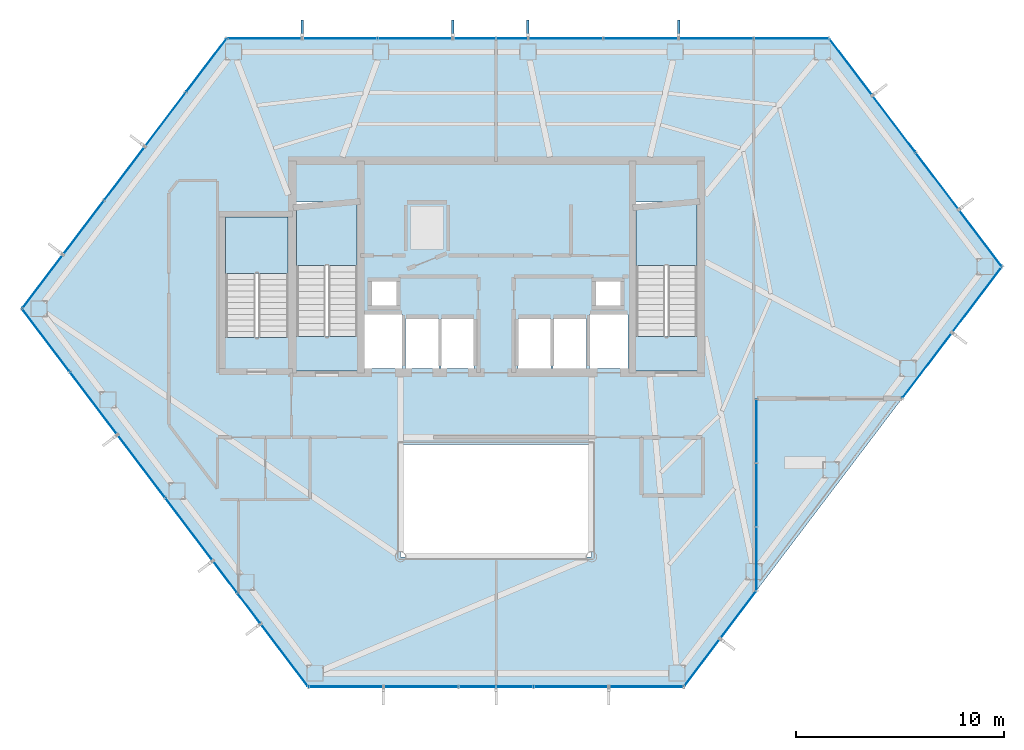
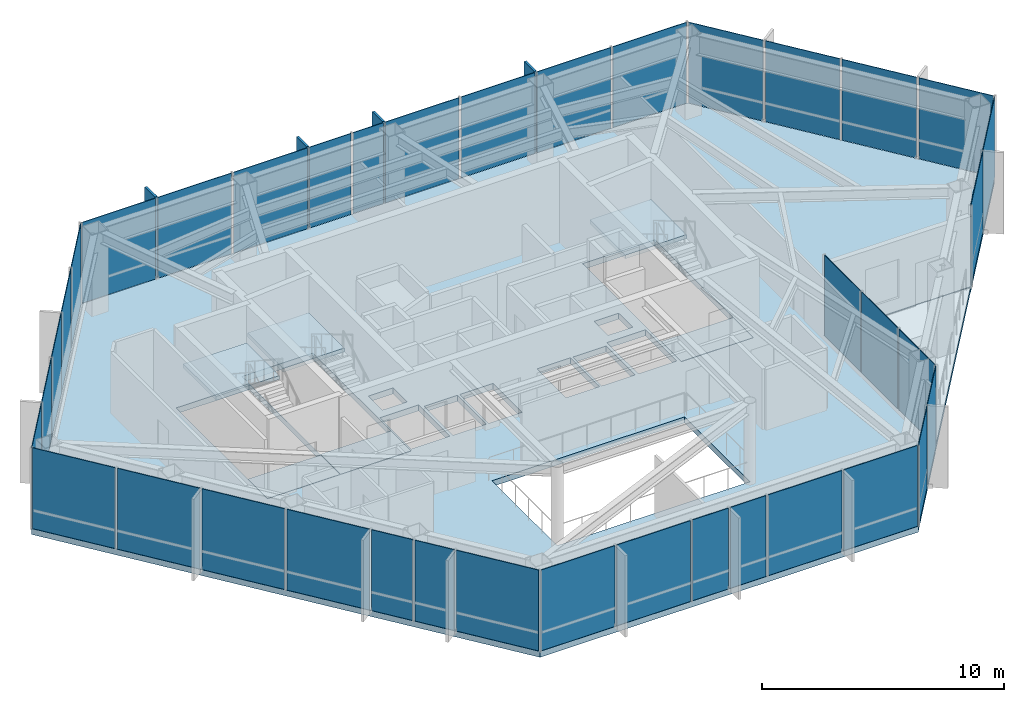
# One storey, part 21 of 27: 38 plates, 8 slabs, 4 members, 11 elements without a shape of their own.
"""IFC4 building model written with IfcOpenShell, lengths in metres."""

from ifc_helpers import new_model, si_unit, direction, frame, origin, origin_2d, place, context, subcontext, project, spatial, polyline, rectangle, outline, extrude, material, layer, layer_set, material_profile, profile_set, type_object, element, aggregate, save


model = new_model("IFC4")

# Units and contexts
model_context = context("Model", 3, precision=1e-05, world=origin(), true_north=direction((0.0, 1.0)))
body_context = subcontext(model_context, "Body", "Model", "MODEL_VIEW")
ifc_project = project(units=[si_unit("LENGTHUNIT", "METRE"), si_unit("AREAUNIT", "SQUARE_METRE"), si_unit("VOLUMEUNIT", "CUBIC_METRE"), si_unit("PLANEANGLEUNIT", "RADIAN"), si_unit("MASSUNIT", "GRAM", prefix="KILO")], contexts=[model_context])

# Site, building, storey
site_placement = place(None, origin())
site = spatial("IfcSite", under=ifc_project, at=site_placement, CompositionType="ELEMENT")
building_placement = place(site_placement, origin())
building = spatial("IfcBuilding", under=site, at=building_placement, Name="Zarrinselat Tower", CompositionType="ELEMENT")
storey_placement = place(building_placement, frame((0.0, 0.0, 114.580078125)))
storey = spatial("IfcBuildingStorey", under=building, at=storey_placement, Name="L27", CompositionType="ELEMENT", Elevation=114.580078125)

# Curtain wall, members
ifc_material_1 = material(Name="Extruded Aluminium Alloy EN AW-6063 T6", Category="aluminium")
ifc_layer_1 = layer(ifc_material_1, 0.195068359375)
ifc_layer_set_1 = layer_set([ifc_layer_1], Name="Extruded Aluminium Alloy EN AW-6063 T6")
curtain_wall_type_1 = type_object("IfcCurtainWallType", Name="CWS-GDN", PredefinedType="NOTDEFINED", material=ifc_layer_set_1)
curtain_wall_1_placement = place(storey_placement, origin())
curtain_wall_1 = element("IfcCurtainWall", 1, at=curtain_wall_1_placement, inside=storey, type_object=curtain_wall_type_1, Name="L27 Unitised Curtain Wall CW-L27-E04", PredefinedType="NOTDEFINED")
ifc_material_2 = material(Name="Honed Cream Travertine Stone", Category="masonry")
ifc_material_profile = material_profile(ifc_material_2, rectangle(XDim=0.1201171875, YDim=0.85009765625, at=origin_2d()), Name="FIN 850x120")
ifc_profile_set = profile_set([ifc_material_profile], Name="Honed Cream Travertine Stone")
member_type = type_object("IfcMemberType", Name="MEM-STONE-FIN", PredefinedType="USERDEFINED", material=ifc_profile_set)
member_1_placement = place(storey_placement, frame((29.067138671875, 49.804443359375, 0.0), z_axis=(0.0, 0.0, 1.0), x_axis=(1.0, 0.0, 0.0)))
member_1 = element("IfcMember", 2, at=member_1_placement, type_object=member_type, Name="L27 Stone Shading Fin CW-L27-E04-01", ObjectType="FIN", PredefinedType="USERDEFINED", context=body_context, shape_type="SweptSolid", body=[
    extrude(rectangle(XDim=0.1201171875, YDim=0.85009765625, at=origin_2d()), origin(), (0.0, 0.0, 1.0), 4.119873046875),
])
member_2_placement = place(storey_placement, frame((36.3125, 49.804443359375, 0.0), z_axis=(0.0, 0.0, 1.0), x_axis=(1.0, 0.0, 0.0)))
member_2 = element("IfcMember", 3, at=member_2_placement, type_object=member_type, Name="L27 Stone Shading Fin CW-L27-E04-03", ObjectType="FIN", PredefinedType="USERDEFINED", context=body_context, shape_type="SweptSolid", body=[
    extrude(rectangle(XDim=0.1201171875, YDim=0.85009765625, at=origin_2d()), origin(), (0.0, 0.0, 1.0), 4.119873046875),
])
member_3_placement = place(storey_placement, frame((39.935302734375, 49.804443359375, 0.0), z_axis=(0.0, 0.0, 1.0), x_axis=(1.0, 0.0, 0.0)))
member_3 = element("IfcMember", 4, at=member_3_placement, type_object=member_type, Name="L27 Stone Shading Fin CW-L27-E04-05", ObjectType="FIN", PredefinedType="USERDEFINED", context=body_context, shape_type="SweptSolid", body=[
    extrude(rectangle(XDim=0.1201171875, YDim=0.85009765625, at=origin_2d()), origin(), (0.0, 0.0, 1.0), 4.119873046875),
])
member_4_placement = place(storey_placement, frame((47.180908203125, 49.804443359375, 0.0), z_axis=(0.0, 0.0, 1.0), x_axis=(1.0, 0.0, 0.0)))
member_4 = element("IfcMember", 5, at=member_4_placement, type_object=member_type, Name="L27 Stone Shading Fin CW-L27-E04-07", ObjectType="FIN", PredefinedType="USERDEFINED", context=body_context, shape_type="SweptSolid", body=[
    extrude(rectangle(XDim=0.1201171875, YDim=0.85009765625, at=origin_2d()), origin(), (0.0, 0.0, 1.0), 4.119873046875),
])

# Curtain wall, plates
curtain_wall_2_placement = place(storey_placement, origin())
curtain_wall_2 = element("IfcCurtainWall", 6, at=curtain_wall_2_placement, inside=storey, type_object=curtain_wall_type_1, Name="L27 Unitised Curtain Wall CW-L27-E01", PredefinedType="NOTDEFINED")
ifc_material_3 = material(Name="Double Low-E Laminated Solar Glass", Category="glass")
ifc_layer_2 = layer(ifc_material_3, 0.031982421875)
ifc_layer_set_2 = layer_set([ifc_layer_2], Name="Double Low-E Laminated Solar Glass")
plate_type = type_object("IfcPlateType", Name="PLT-CW-GL32", PredefinedType="CURTAIN_PANEL", material=ifc_layer_set_2)
plate_1_placement = place(storey_placement, frame((45.625732421875, 18.147216796875, 0.019775390625), z_axis=(0.0, 0.0, 1.0), x_axis=(-1.0, 0.0, 0.0)))
plate_1 = element("IfcPlate", 7, at=plate_1_placement, type_object=plate_type, Name="CW-L27-E01 Vision Glass Panel 1", PredefinedType="CURTAIN_PANEL", context=body_context, shape_type="SweptSolid", body=[
    extrude(rectangle(XDim=3.512939453125, YDim=0.031982421875, at=origin_2d()), origin(), (0.0, 0.0, 1.0), 4.080078125),
])
plate_2_placement = place(storey_placement, frame((42.012939453125, 18.147216796875, 0.019775390625), z_axis=(0.0, 0.0, 1.0), x_axis=(-1.0, 0.0, 0.0)))
plate_2 = element("IfcPlate", 8, at=plate_2_placement, type_object=plate_type, Name="CW-L27-E01 Vision Glass Panel 2", PredefinedType="CURTAIN_PANEL", context=body_context, shape_type="SweptSolid", body=[
    extrude(rectangle(XDim=3.512939453125, YDim=0.031982421875, at=origin_2d()), origin(), (0.0, 0.0, 1.0), 4.080078125),
])
plate_3_placement = place(storey_placement, frame((39.30322265625, 18.147216796875, 0.019775390625), z_axis=(0.0, 0.0, 1.0), x_axis=(-1.0, 0.0, 0.0)))
plate_3 = element("IfcPlate", 9, at=plate_3_placement, type_object=plate_type, Name="CW-L27-E01 Vision Glass Panel 3", PredefinedType="CURTAIN_PANEL", context=body_context, shape_type="SweptSolid", body=[
    extrude(rectangle(XDim=1.70654296875, YDim=0.031982421875, at=origin_2d()), origin(), (0.0, 0.0, 1.0), 4.080078125),
])
plate_4_placement = place(storey_placement, frame((37.496826171875, 18.147216796875, 0.019775390625), z_axis=(0.0, 0.0, 1.0), x_axis=(-1.0, 0.0, 0.0)))
plate_4 = element("IfcPlate", 10, at=plate_4_placement, type_object=plate_type, Name="CW-L27-E01 Vision Glass Panel 4", PredefinedType="CURTAIN_PANEL", context=body_context, shape_type="SweptSolid", body=[
    extrude(rectangle(XDim=1.70654296875, YDim=0.031982421875, at=origin_2d()), origin(), (0.0, 0.0, 1.0), 4.080078125),
])
plate_5_placement = place(storey_placement, frame((34.787109375, 18.147216796875, 0.019775390625), z_axis=(0.0, 0.0, 1.0), x_axis=(-1.0, 0.0, 0.0)))
plate_5 = element("IfcPlate", 11, at=plate_5_placement, type_object=plate_type, Name="CW-L27-E01 Vision Glass Panel 5", PredefinedType="CURTAIN_PANEL", context=body_context, shape_type="SweptSolid", body=[
    extrude(rectangle(XDim=3.512939453125, YDim=0.031982421875, at=origin_2d()), origin(), (0.0, 0.0, 1.0), 4.080078125),
])
plate_6_placement = place(storey_placement, frame((31.17431640625, 18.147216796875, 0.019775390625), z_axis=(0.0, 0.0, 1.0), x_axis=(-1.0, 0.0, 0.0)))
plate_6 = element("IfcPlate", 12, at=plate_6_placement, type_object=plate_type, Name="CW-L27-E01 Vision Glass Panel 6", PredefinedType="CURTAIN_PANEL", context=body_context, shape_type="SweptSolid", body=[
    extrude(rectangle(XDim=3.512939453125, YDim=0.031982421875, at=origin_2d()), origin(), (0.0, 0.0, 1.0), 4.080078125),
])
aggregate(curtain_wall_2, [plate_1, plate_2, plate_3, plate_4, plate_5, plate_6])

curtain_wall_3_placement = place(storey_placement, origin())
curtain_wall_3 = element("IfcCurtainWall", 13, at=curtain_wall_3_placement, inside=storey, type_object=curtain_wall_type_1, Name="L27 Unitised Curtain Wall CW-L27-E02", PredefinedType="NOTDEFINED")
plate_7_placement = place(storey_placement, frame((28.219482421875, 19.662841796875, 0.019775390625), z_axis=(0.0, 0.0, 1.0), x_axis=(-0.603858025511, 0.79709189246, 0.0)))
plate_7 = element("IfcPlate", 14, at=plate_7_placement, type_object=plate_type, Name="CW-L27-E02 Vision Glass Panel 1", PredefinedType="CURTAIN_PANEL", context=body_context, shape_type="SweptSolid", body=[
    extrude(rectangle(XDim=3.702880859375, YDim=0.031982421875, at=origin_2d()), origin(), (0.0, 0.0, 1.0), 4.080078125),
])
plate_8_placement = place(storey_placement, frame((26.51171875, 21.9169921875, 0.019775390625), z_axis=(0.0, 0.0, 1.0), x_axis=(-0.603858025511, 0.79709189246, 0.0)))
plate_8 = element("IfcPlate", 15, at=plate_8_placement, type_object=plate_type, Name="CW-L27-E02 Vision Glass Panel 2", PredefinedType="CURTAIN_PANEL", context=body_context, shape_type="SweptSolid", body=[
    extrude(rectangle(XDim=1.753173828125, YDim=0.031982421875, at=origin_2d()), origin(), (0.0, 0.0, 1.0), 4.080078125),
])
plate_9_placement = place(storey_placement, frame((25.363525390625, 23.4326171875, 0.019775390625), z_axis=(0.0, 0.0, 1.0), x_axis=(-0.603858025511, 0.79709189246, 0.0)))
plate_9 = element("IfcPlate", 16, at=plate_9_placement, type_object=plate_type, Name="CW-L27-E02 Vision Glass Panel 3", PredefinedType="CURTAIN_PANEL", context=body_context, shape_type="SweptSolid", body=[
    extrude(rectangle(XDim=1.849853515625, YDim=0.031982421875, at=origin_2d()), origin(), (0.0, 0.0, 1.0), 4.080078125),
])
plate_10_placement = place(storey_placement, frame((23.62646484375, 25.725341796875, 0.019775390625), z_axis=(0.0, 0.0, 1.0), x_axis=(-0.603858025511, 0.79709189246, 0.0)))
plate_10 = element("IfcPlate", 17, at=plate_10_placement, type_object=plate_type, Name="CW-L27-E02 Vision Glass Panel 4", PredefinedType="CURTAIN_PANEL", context=body_context, shape_type="SweptSolid", body=[
    extrude(rectangle(XDim=3.702880859375, YDim=0.031982421875, at=origin_2d()), origin(), (0.0, 0.0, 1.0), 4.080078125),
])
plate_11_placement = place(storey_placement, frame((21.330078125, 28.7568359375, 0.019775390625), z_axis=(0.0, 0.0, 1.0), x_axis=(-0.603858025511, 0.79709189246, 0.0)))
plate_11 = element("IfcPlate", 18, at=plate_11_placement, type_object=plate_type, Name="CW-L27-E02 Vision Glass Panel 5", PredefinedType="CURTAIN_PANEL", context=body_context, shape_type="SweptSolid", body=[
    extrude(rectangle(XDim=3.702880859375, YDim=0.031982421875, at=origin_2d()), origin(), (0.0, 0.0, 1.0), 4.080078125),
])
plate_12_placement = place(storey_placement, frame((19.03369140625, 31.7880859375, 0.019775390625), z_axis=(0.0, 0.0, 1.0), x_axis=(-0.603858025511, 0.79709189246, 0.0)))
plate_12 = element("IfcPlate", 19, at=plate_12_placement, type_object=plate_type, Name="CW-L27-E02 Vision Glass Panel 6", PredefinedType="CURTAIN_PANEL", context=body_context, shape_type="SweptSolid", body=[
    extrude(rectangle(XDim=3.702880859375, YDim=0.031982421875, at=origin_2d()), origin(), (0.0, 0.0, 1.0), 4.080078125),
])
plate_13_placement = place(storey_placement, frame((16.737060546875, 34.8193359375, 0.019775390625), z_axis=(0.0, 0.0, 1.0), x_axis=(-0.603858025511, 0.79709189246, 0.0)))
plate_13 = element("IfcPlate", 20, at=plate_13_placement, type_object=plate_type, Name="CW-L27-E02 Vision Glass Panel 7", PredefinedType="CURTAIN_PANEL", context=body_context, shape_type="SweptSolid", body=[
    extrude(rectangle(XDim=3.702880859375, YDim=0.031982421875, at=origin_2d()), origin(), (0.0, 0.0, 1.0), 4.080078125),
])
aggregate(curtain_wall_3, [plate_7, plate_8, plate_9, plate_10, plate_11, plate_12, plate_13])

curtain_wall_4_placement = place(storey_placement, origin())
curtain_wall_4 = element("IfcCurtainWall", 21, at=curtain_wall_4_placement, inside=storey, type_object=curtain_wall_type_1, Name="L27 Unitised Curtain Wall CW-L27-E03", PredefinedType="NOTDEFINED")
plate_14_placement = place(storey_placement, frame((16.574462890625, 37.635986328125, 0.019775390625), z_axis=(0.0, 0.0, 1.0), x_axis=(0.603856508336, 0.797093041834, 0.0)))
plate_14 = element("IfcPlate", 22, at=plate_14_placement, type_object=plate_type, Name="CW-L27-E03 Vision Glass Panel 1", PredefinedType="CURTAIN_PANEL", context=body_context, shape_type="SweptSolid", body=[
    extrude(rectangle(XDim=3.164306640625, YDim=0.031982421875, at=origin_2d()), origin(), (0.0, 0.0, 1.0), 4.080078125),
])
plate_15_placement = place(storey_placement, frame((18.54541015625, 40.23779296875, 0.019775390625), z_axis=(0.0, 0.0, 1.0), x_axis=(0.603856508336, 0.797093041834, 0.0)))
plate_15 = element("IfcPlate", 23, at=plate_15_placement, type_object=plate_type, Name="CW-L27-E03 Vision Glass Panel 2", PredefinedType="CURTAIN_PANEL", context=body_context, shape_type="SweptSolid", body=[
    extrude(rectangle(XDim=3.164306640625, YDim=0.031982421875, at=origin_2d()), origin(), (0.0, 0.0, 1.0), 4.080078125),
])
plate_16_placement = place(storey_placement, frame((20.5166015625, 42.839599609375, 0.019775390625), z_axis=(0.0, 0.0, 1.0), x_axis=(0.603856508336, 0.797093041834, 0.0)))
plate_16 = element("IfcPlate", 24, at=plate_16_placement, type_object=plate_type, Name="CW-L27-E03 Vision Glass Panel 3", PredefinedType="CURTAIN_PANEL", context=body_context, shape_type="SweptSolid", body=[
    extrude(rectangle(XDim=3.164306640625, YDim=0.031982421875, at=origin_2d()), origin(), (0.0, 0.0, 1.0), 4.080078125),
])
plate_17_placement = place(storey_placement, frame((22.48779296875, 45.441650390625, 0.019775390625), z_axis=(0.0, 0.0, 1.0), x_axis=(0.603856508336, 0.797093041834, 0.0)))
plate_17 = element("IfcPlate", 25, at=plate_17_placement, type_object=plate_type, Name="CW-L27-E03 Vision Glass Panel 4", PredefinedType="CURTAIN_PANEL", context=body_context, shape_type="SweptSolid", body=[
    extrude(rectangle(XDim=3.164306640625, YDim=0.031982421875, at=origin_2d()), origin(), (0.0, 0.0, 1.0), 4.080078125),
])
plate_18_placement = place(storey_placement, frame((24.458740234375, 48.04345703125, 0.019775390625), z_axis=(0.0, 0.0, 1.0), x_axis=(0.603856508336, 0.797093041834, 0.0)))
plate_18 = element("IfcPlate", 26, at=plate_18_placement, type_object=plate_type, Name="CW-L27-E03 Vision Glass Panel 5", PredefinedType="CURTAIN_PANEL", context=body_context, shape_type="SweptSolid", body=[
    extrude(rectangle(XDim=3.164306640625, YDim=0.031982421875, at=origin_2d()), origin(), (0.0, 0.0, 1.0), 4.080078125),
])
aggregate(curtain_wall_4, [plate_14, plate_15, plate_16, plate_17, plate_18])

# Plate
plate_19_placement = place(storey_placement, frame((27.255859375, 49.344482421875, 0.019775390625), z_axis=(0.0, 0.0, 1.0), x_axis=(1.0, 0.0, 0.0)))
plate_19 = element("IfcPlate", 27, at=plate_19_placement, type_object=plate_type, Name="CW-L27-E04 Vision Glass Panel 1", PredefinedType="CURTAIN_PANEL", context=body_context, shape_type="SweptSolid", body=[
    extrude(rectangle(XDim=3.522705078125, YDim=0.031982421875, at=origin_2d()), origin(), (0.0, 0.0, 1.0), 4.080078125),
])

plate_20_placement = place(storey_placement, frame((30.87841796875, 49.344482421875, 0.019775390625), z_axis=(0.0, 0.0, 1.0), x_axis=(1.0, 0.0, 0.0)))
plate_20 = element("IfcPlate", 28, at=plate_20_placement, type_object=plate_type, Name="CW-L27-E04 Vision Glass Panel 2", PredefinedType="CURTAIN_PANEL", context=body_context, shape_type="SweptSolid", body=[
    extrude(rectangle(XDim=3.522705078125, YDim=0.031982421875, at=origin_2d()), origin(), (0.0, 0.0, 1.0), 4.080078125),
])

plate_21_placement = place(storey_placement, frame((34.501220703125, 49.344482421875, 0.019775390625), z_axis=(0.0, 0.0, 1.0), x_axis=(1.0, 0.0, 0.0)))
plate_21 = element("IfcPlate", 29, at=plate_21_placement, type_object=plate_type, Name="CW-L27-E04 Vision Glass Panel 3", PredefinedType="CURTAIN_PANEL", context=body_context, shape_type="SweptSolid", body=[
    extrude(rectangle(XDim=3.522705078125, YDim=0.031982421875, at=origin_2d()), origin(), (0.0, 0.0, 1.0), 4.080078125),
])

plate_22_placement = place(storey_placement, frame((37.356201171875, 49.344482421875, 0.019775390625), z_axis=(0.0, 0.0, 1.0), x_axis=(1.0, 0.0, 0.0)))
plate_22 = element("IfcPlate", 30, at=plate_22_placement, type_object=plate_type, Name="CW-L27-E04 Vision Glass Panel 4", PredefinedType="CURTAIN_PANEL", context=body_context, shape_type="SweptSolid", body=[
    extrude(rectangle(XDim=1.9873046875, YDim=0.031982421875, at=origin_2d()), origin(), (0.0, 0.0, 1.0), 4.080078125),
])

plate_23_placement = place(storey_placement, frame((39.167724609375, 49.344482421875, 0.019775390625), z_axis=(0.0, 0.0, 1.0), x_axis=(1.0, 0.0, 0.0)))
plate_23 = element("IfcPlate", 31, at=plate_23_placement, type_object=plate_type, Name="CW-L27-E04 Vision Glass Panel 5", PredefinedType="CURTAIN_PANEL", context=body_context, shape_type="SweptSolid", body=[
    extrude(rectangle(XDim=1.435302734375, YDim=0.031982421875, at=origin_2d()), origin(), (0.0, 0.0, 1.0), 4.080078125),
])

plate_24_placement = place(storey_placement, frame((41.74658203125, 49.344482421875, 0.019775390625), z_axis=(0.0, 0.0, 1.0), x_axis=(1.0, 0.0, 0.0)))
plate_24 = element("IfcPlate", 32, at=plate_24_placement, type_object=plate_type, Name="CW-L27-E04 Vision Glass Panel 6", PredefinedType="CURTAIN_PANEL", context=body_context, shape_type="SweptSolid", body=[
    extrude(rectangle(XDim=3.522705078125, YDim=0.031982421875, at=origin_2d()), origin(), (0.0, 0.0, 1.0), 4.080078125),
])

plate_25_placement = place(storey_placement, frame((45.369384765625, 49.344482421875, 0.019775390625), z_axis=(0.0, 0.0, 1.0), x_axis=(1.0, 0.0, 0.0)))
plate_25 = element("IfcPlate", 33, at=plate_25_placement, type_object=plate_type, Name="CW-L27-E04 Vision Glass Panel 7", PredefinedType="CURTAIN_PANEL", context=body_context, shape_type="SweptSolid", body=[
    extrude(rectangle(XDim=3.522705078125, YDim=0.031982421875, at=origin_2d()), origin(), (0.0, 0.0, 1.0), 4.080078125),
])

plate_26_placement = place(storey_placement, frame((48.990478515625, 49.344482421875, 0.019775390625), z_axis=(0.0, 0.0, 1.0), x_axis=(1.0, 0.0, 0.0)))
plate_26 = element("IfcPlate", 34, at=plate_26_placement, type_object=plate_type, Name="CW-L27-E04 Vision Glass Panel 8", PredefinedType="CURTAIN_PANEL", context=body_context, shape_type="SweptSolid", body=[
    extrude(rectangle(XDim=3.519287109375, YDim=0.031982421875, at=origin_2d()), origin(), (0.0, 0.0, 1.0), 4.080078125),
])

plate_27_placement = place(storey_placement, frame((52.613037109375, 49.344482421875, 0.019775390625), z_axis=(0.0, 0.0, 1.0), x_axis=(1.0, 0.0, 0.0)))
plate_27 = element("IfcPlate", 35, at=plate_27_placement, type_object=plate_type, Name="CW-L27-E04 Vision Glass Panel 9", PredefinedType="CURTAIN_PANEL", context=body_context, shape_type="SweptSolid", body=[
    extrude(rectangle(XDim=3.5263671875, YDim=0.031982421875, at=origin_2d()), origin(), (0.0, 0.0, 1.0), 4.080078125),
])

aggregate(curtain_wall_1, [member_1, member_2, member_3, member_4, plate_19, plate_20, plate_21, plate_22, plate_23, plate_24, plate_25, plate_26, plate_27])

# Curtain wall, plates
curtain_wall_5_placement = place(storey_placement, origin())
curtain_wall_5 = element("IfcCurtainWall", 36, at=curtain_wall_5_placement, inside=storey, type_object=curtain_wall_type_1, Name="L27 Unitised Curtain Wall CW-L27-E05", PredefinedType="NOTDEFINED")
plate_28_placement = place(storey_placement, frame((55.46630859375, 47.9716796875, 0.019775390625), z_axis=(0.0, 0.0, 1.0), x_axis=(0.603856430388, -0.797093100885, 0.0)))
plate_28 = element("IfcPlate", 37, at=plate_28_placement, type_object=plate_type, Name="CW-L27-E05 Vision Glass Panel 1", PredefinedType="CURTAIN_PANEL", context=body_context, shape_type="SweptSolid", body=[
    extrude(rectangle(XDim=3.344482421875, YDim=0.031982421875, at=origin_2d()), origin(), (0.0, 0.0, 1.0), 4.080078125),
])
plate_29_placement = place(storey_placement, frame((57.54638671875, 45.225830078125, 0.019775390625), z_axis=(0.0, 0.0, 1.0), x_axis=(0.603856430388, -0.797093100885, 0.0)))
plate_29 = element("IfcPlate", 38, at=plate_29_placement, type_object=plate_type, Name="CW-L27-E05 Vision Glass Panel 2", PredefinedType="CURTAIN_PANEL", context=body_context, shape_type="SweptSolid", body=[
    extrude(rectangle(XDim=3.344482421875, YDim=0.031982421875, at=origin_2d()), origin(), (0.0, 0.0, 1.0), 4.080078125),
])
plate_30_placement = place(storey_placement, frame((59.62646484375, 42.480224609375, 0.019775390625), z_axis=(0.0, 0.0, 1.0), x_axis=(0.603856430388, -0.797093100885, 0.0)))
plate_30 = element("IfcPlate", 39, at=plate_30_placement, type_object=plate_type, Name="CW-L27-E05 Vision Glass Panel 3", PredefinedType="CURTAIN_PANEL", context=body_context, shape_type="SweptSolid", body=[
    extrude(rectangle(XDim=3.344482421875, YDim=0.031982421875, at=origin_2d()), origin(), (0.0, 0.0, 1.0), 4.080078125),
])
plate_31_placement = place(storey_placement, frame((61.70654296875, 39.734619140625, 0.019775390625), z_axis=(0.0, 0.0, 1.0), x_axis=(0.603856430388, -0.797093100885, 0.0)))
plate_31 = element("IfcPlate", 40, at=plate_31_placement, type_object=plate_type, Name="CW-L27-E05 Vision Glass Panel 4", PredefinedType="CURTAIN_PANEL", context=body_context, shape_type="SweptSolid", body=[
    extrude(rectangle(XDim=3.344482421875, YDim=0.031982421875, at=origin_2d()), origin(), (0.0, 0.0, 1.0), 4.080078125),
])
aggregate(curtain_wall_5, [plate_28, plate_29, plate_30, plate_31])

curtain_wall_6_placement = place(storey_placement, origin())
curtain_wall_6 = element("IfcCurtainWall", 41, at=curtain_wall_6_placement, inside=storey, type_object=curtain_wall_type_1, Name="L27 Unitised Curtain Wall CW-L27-E06", PredefinedType="NOTDEFINED")
plate_32_placement = place(storey_placement, frame((61.54443359375, 36.77490234375, 0.019775390625), z_axis=(0.0, 0.0, 1.0), x_axis=(-0.60386042105, -0.79709007765, 0.0)))
plate_32 = element("IfcPlate", 42, at=plate_32_placement, type_object=plate_type, Name="CW-L27-E06 Vision Glass Panel 1", PredefinedType="CURTAIN_PANEL", context=body_context, shape_type="SweptSolid", body=[
    extrude(rectangle(XDim=3.881103515625, YDim=0.031982421875, at=origin_2d()), origin(), (0.0, 0.0, 1.0), 4.080078125),
])
plate_33_placement = place(storey_placement, frame((59.140380859375, 33.601806640625, 0.019775390625), z_axis=(0.0, 0.0, 1.0), x_axis=(-0.60386042105, -0.79709007765, 0.0)))
plate_33 = element("IfcPlate", 43, at=plate_33_placement, type_object=plate_type, Name="CW-L27-E06 Vision Glass Panel 2", PredefinedType="CURTAIN_PANEL", context=body_context, shape_type="SweptSolid", body=[
    extrude(rectangle(XDim=3.881103515625, YDim=0.031982421875, at=origin_2d()), origin(), (0.0, 0.0, 1.0), 4.080078125),
])
aggregate(curtain_wall_6, [plate_32, plate_33])

ifc_material_4 = material(Name="Extruded Aluminium Alloy EN AW-6063 T6", Category="aluminium")
ifc_layer_3 = layer(ifc_material_4, 0.18994140625)
ifc_layer_set_3 = layer_set([ifc_layer_3], Name="Extruded Aluminium Alloy EN AW-6063 T6")
curtain_wall_type_2 = type_object("IfcCurtainWallType", Name="CWS-SG", PredefinedType="NOTDEFINED", material=ifc_layer_set_3)
curtain_wall_7_placement = place(storey_placement, origin())
curtain_wall_7 = element("IfcCurtainWall", 44, at=curtain_wall_7_placement, inside=storey, type_object=curtain_wall_type_2, Name="L27 Unitised Curtain Wall CW-L27-E24", PredefinedType="NOTDEFINED")
plate_34_placement = place(storey_placement, frame((50.931396484375, 30.4609375, 0.019775390625), z_axis=(0.0, 0.0, 1.0), x_axis=(0.0, -1.0, 0.0)))
plate_34 = element("IfcPlate", 45, at=plate_34_placement, type_object=plate_type, Name="CW-L27-E24 Vision Glass Panel 1", PredefinedType="CURTAIN_PANEL", context=body_context, shape_type="SweptSolid", body=[
    extrude(rectangle(XDim=2.97802734375, YDim=0.031982421875, at=origin_2d()), origin(), (0.0, 0.0, 1.0), 4.080078125),
])
plate_35_placement = place(storey_placement, frame((50.931396484375, 27.383056640625, 0.019775390625), z_axis=(0.0, 0.0, 1.0), x_axis=(0.0, -1.0, 0.0)))
plate_35 = element("IfcPlate", 46, at=plate_35_placement, type_object=plate_type, Name="CW-L27-E24 Vision Glass Panel 2", PredefinedType="CURTAIN_PANEL", context=body_context, shape_type="SweptSolid", body=[
    extrude(rectangle(XDim=2.97802734375, YDim=0.031982421875, at=origin_2d()), origin(), (0.0, 0.0, 1.0), 4.080078125),
])
plate_36_placement = place(storey_placement, frame((50.931396484375, 24.304931640625, 0.019775390625), z_axis=(0.0, 0.0, 1.0), x_axis=(0.0, -1.0, 0.0)))
plate_36 = element("IfcPlate", 47, at=plate_36_placement, type_object=plate_type, Name="CW-L27-E24 Vision Glass Panel 3", PredefinedType="CURTAIN_PANEL", context=body_context, shape_type="SweptSolid", body=[
    extrude(rectangle(XDim=2.97802734375, YDim=0.031982421875, at=origin_2d()), origin(), (0.0, 0.0, 1.0), 4.080078125),
])
aggregate(curtain_wall_7, [plate_34, plate_35, plate_36])

curtain_wall_8_placement = place(storey_placement, origin())
curtain_wall_8 = element("IfcCurtainWall", 48, at=curtain_wall_8_placement, inside=storey, type_object=curtain_wall_type_1, Name="L27 Unitised Curtain Wall CW-L27-E25", PredefinedType="NOTDEFINED")
plate_37_placement = place(storey_placement, frame((50.056640625, 21.611328125, 0.019775390625), z_axis=(0.0, 0.0, 1.0), x_axis=(-0.60386042105, -0.79709007765, 0.0)))
plate_37 = element("IfcPlate", 49, at=plate_37_placement, type_object=plate_type, Name="CW-L27-E25 Vision Glass Panel 1", PredefinedType="CURTAIN_PANEL", context=body_context, shape_type="SweptSolid", body=[
    extrude(rectangle(XDim=2.79736328125, YDim=0.031982421875, at=origin_2d()), origin(), (0.0, 0.0, 1.0), 4.080078125),
])
plate_38_placement = place(storey_placement, frame((48.30712890625, 19.3017578125, 0.019775390625), z_axis=(0.0, 0.0, 1.0), x_axis=(-0.60386042105, -0.79709007765, 0.0)))
plate_38 = element("IfcPlate", 50, at=plate_38_placement, type_object=plate_type, Name="CW-L27-E25 Vision Glass Panel 2", PredefinedType="CURTAIN_PANEL", context=body_context, shape_type="SweptSolid", body=[
    extrude(rectangle(XDim=2.79736328125, YDim=0.031982421875, at=origin_2d()), origin(), (0.0, 0.0, 1.0), 4.080078125),
])
aggregate(curtain_wall_8, [plate_37, plate_38])

# Slabs
ifc_material_5 = material(Name="Concrete C40/50", Category="concrete")
ifc_layer_4 = layer(ifc_material_5, 0.300048828125)
ifc_layer_set_4 = layer_set([ifc_layer_4], Name="Concrete C40/50")
slab_type_1 = type_object("IfcSlabType", Name="SLB-FLOOR-300-SL-SK300", PredefinedType="FLOOR", material=ifc_layer_set_4)
slab_1_placement = place(storey_placement, frame((0.0, 0.0, -0.300048828125)))
element("IfcSlab", 51, at=slab_1_placement, inside=storey, type_object=slab_type_1, Name="L27 Primary Structural Slab", PredefinedType="FLOOR", context=body_context, shape_type="SweptSolid", body=[
    extrude(outline(polyline([(47.432373046875, 18.147216796875), (29.36767578125, 18.147216796875), (15.5888671875, 36.335205078125), (25.4443359375, 49.344482421875), (54.42626953125, 49.344482421875), (62.74658203125, 38.36181640625), (57.9384765625, 32.014892578125), (50.946533203125, 32.014892578125), (50.945068359375, 32.014892578125), (50.943603515625, 32.0146484375), (50.942138671875, 32.014404296875), (50.94091796875, 32.013916015625), (50.939453125, 32.01318359375), (50.938232421875, 32.012451171875), (50.93701171875, 32.01171875), (50.935791015625, 32.010498046875), (50.934814453125, 32.009521484375), (50.93408203125, 32.00830078125), (50.933349609375, 32.007080078125), (50.9326171875, 32.005615234375), (50.93212890625, 32.00439453125), (50.931884765625, 32.0029296875), (50.931640625, 32.00146484375), (50.931396484375, 32.0), (50.931396484375, 22.76611328125), (47.432373046875, 18.147216796875)]), holes=[polyline([(35.64990234375, 33.449951171875), (34.050048828125, 33.449951171875), (34.050048828125, 35.85009765625), (35.64990234375, 35.85009765625), (35.64990234375, 33.449951171875)]), polyline([(35.75, 33.449951171875), (35.75, 35.85009765625), (37.35009765625, 35.85009765625), (37.35009765625, 33.449951171875), (35.75, 33.449951171875)]), polyline([(32.06005859375, 33.449951171875), (32.06005859375, 36.050048828125), (33.89990234375, 36.050048828125), (33.89990234375, 33.449951171875), (32.06005859375, 33.449951171875)]), polyline([(33.60009765625, 36.47998046875), (32.419921875, 36.47998046875), (32.419921875, 37.639892578125), (33.60009765625, 37.639892578125), (33.60009765625, 36.47998046875)]), polyline([(28.594970703125, 33.324951171875), (25.114990234375, 33.324951171875), (25.114990234375, 40.875), (28.594970703125, 40.875), (28.594970703125, 33.324951171875)]), polyline([(31.985107421875, 33.324951171875), (28.60498046875, 33.324951171875), (28.60498046875, 41.47509765625), (31.985107421875, 41.47509765625), (31.985107421875, 33.324951171875)]), polyline([(43.0, 24.39990234375), (33.800048828125, 24.39990234375), (33.800048828125, 29.800048828125), (43.0, 29.800048828125), (43.0, 24.39990234375)]), polyline([(39.449951171875, 33.449951171875), (39.449951171875, 35.85009765625), (41.050048828125, 35.85009765625), (41.050048828125, 33.449951171875), (39.449951171875, 33.449951171875)]), polyline([(41.14990234375, 33.449951171875), (41.14990234375, 35.85009765625), (42.75, 35.85009765625), (42.75, 33.449951171875), (41.14990234375, 33.449951171875)]), polyline([(44.739990234375, 33.449951171875), (42.89990234375, 33.449951171875), (42.89990234375, 36.050048828125), (44.739990234375, 36.050048828125), (44.739990234375, 33.449951171875)]), polyline([(43.199951171875, 36.47998046875), (43.199951171875, 37.639892578125), (44.3798828125, 37.639892578125), (44.3798828125, 36.47998046875), (43.199951171875, 36.47998046875)]), polyline([(48.324951171875, 33.324951171875), (44.875, 33.324951171875), (44.875, 41.47509765625), (48.324951171875, 41.47509765625), (48.324951171875, 33.324951171875)])]), origin(), (0.0, 0.0, 1.0), 0.300048828125),
])
slab_2_placement = place(storey_placement, frame((0.0, 0.0, -0.300048828125)))
element("IfcSlab", 52, at=slab_2_placement, inside=storey, type_object=slab_type_1, Name="L27 Stair ST-1-FL1 Structural Floor Landing", PredefinedType="FLOOR", context=body_context, shape_type="SweptSolid", body=[
    extrude(outline(polyline([(31.97998046875, 33.330078125), (31.97998046875, 35.0), (28.610107421875, 35.0), (28.610107421875, 33.330078125), (31.97998046875, 33.330078125)])), origin(), (0.0, 0.0, 1.0), 0.300048828125),
])
slab_3_placement = place(storey_placement, frame((0.0, 0.0, -0.300048828125)))
element("IfcSlab", 53, at=slab_3_placement, inside=storey, type_object=slab_type_1, Name="L27 Stair ST-2-FL1 Structural Floor Landing", PredefinedType="FLOOR", context=body_context, shape_type="SweptSolid", body=[
    extrude(outline(polyline([(48.320068359375, 33.330078125), (48.320068359375, 35.0), (44.8798828125, 35.0), (44.8798828125, 33.330078125), (48.320068359375, 33.330078125)])), origin(), (0.0, 0.0, 1.0), 0.300048828125),
])
slab_4_placement = place(storey_placement, frame((0.0, 0.0, -0.300048828125)))
element("IfcSlab", 54, at=slab_4_placement, inside=storey, type_object=slab_type_1, Name="L27 Stair ST-3-FL1 Structural Floor Landing", PredefinedType="FLOOR", context=body_context, shape_type="SweptSolid", body=[
    extrude(outline(polyline([(28.590087890625, 33.330078125), (28.590087890625, 34.949951171875), (25.1201171875, 34.949951171875), (25.1201171875, 33.330078125), (28.590087890625, 33.330078125)])), origin(), (0.0, 0.0, 1.0), 0.300048828125),
])

# Stair, slab
ifc_material_6 = material(Name="Concrete C40/50", Category="concrete")
stair_type_1 = type_object("IfcStairType", Name="STR-CORE-145", PredefinedType="HALF_TURN_STAIR", material=ifc_material_6)
stair_1_placement = place(storey_placement, origin())
stair_1 = element("IfcStair", 55, at=stair_1_placement, inside=storey, type_object=stair_type_1, Name="L27 Podium & Mid-Tower Exit Stair 3", PredefinedType="HALF_TURN_STAIR")
ifc_material_7 = material(Name="Concrete C40/50", Category="concrete")
ifc_layer_5 = layer(ifc_material_7, 0.1650390625)
ifc_layer_set_5 = layer_set([ifc_layer_5], Name="Concrete C40/50")
slab_type_2 = type_object("IfcSlabType", Name="SLB-LND-165", PredefinedType="LANDING", material=ifc_layer_set_5)
slab_5_placement = place(storey_placement, frame((0.0, 0.0, 2.010009765625)))
slab_5 = element("IfcSlab", 56, at=slab_5_placement, type_object=slab_type_2, Name="ST-3 landing 1", PredefinedType="LANDING", context=body_context, shape_type="SweptSolid", body=[
    extrude(outline(polyline([(28.39990234375, 38.030029296875), (28.39990234375, 40.75), (25.3798828125, 40.75), (25.3798828125, 38.030029296875), (28.39990234375, 38.030029296875)])), origin(), (0.0, 0.0, 1.0), 0.199951171875),
])
aggregate(stair_1, [slab_5])

ifc_material_8 = material(Name="Concrete C40/50", Category="concrete")
stair_type_2 = type_object("IfcStairType", Name="STR-CORE-155", PredefinedType="HALF_TURN_STAIR", material=ifc_material_8)
stair_2_placement = place(storey_placement, origin())
stair_2 = element("IfcStair", 57, at=stair_2_placement, inside=storey, type_object=stair_type_2, Name="L27 Core Exit Stair 1", PredefinedType="HALF_TURN_STAIR")
ifc_material_9 = material(Name="Concrete C40/50", Category="concrete")
ifc_layer_6 = layer(ifc_material_9, 0.18994140625)
ifc_layer_set_6 = layer_set([ifc_layer_6], Name="Concrete C40/50")
slab_type_3 = type_object("IfcSlabType", Name="SLB-LND-190", PredefinedType="LANDING", material=ifc_layer_set_6)
slab_6_placement = place(storey_placement, frame((0.0, 0.0, 2.010009765625)))
slab_6 = element("IfcSlab", 58, at=slab_6_placement, type_object=slab_type_3, Name="ST-1 landing 1", PredefinedType="LANDING", context=body_context, shape_type="SweptSolid", body=[
    extrude(outline(polyline([(31.719970703125, 38.409912109375), (31.719970703125, 41.35009765625), (28.800048828125, 41.35009765625), (28.800048828125, 38.409912109375), (31.719970703125, 38.409912109375)])), origin(), (0.0, 0.0, 1.0), 0.199951171875),
])
aggregate(stair_2, [slab_6])

stair_3_placement = place(storey_placement, origin())
stair_3 = element("IfcStair", 59, at=stair_3_placement, inside=storey, type_object=stair_type_2, Name="L27 Core Exit Stair 2", PredefinedType="HALF_TURN_STAIR")
slab_7_placement = place(storey_placement, frame((0.0, 0.0, 2.010009765625)))
slab_7 = element("IfcSlab", 60, at=slab_7_placement, type_object=slab_type_3, Name="ST-2 landing 1", PredefinedType="LANDING", context=body_context, shape_type="SweptSolid", body=[
    extrude(outline(polyline([(48.06005859375, 38.409912109375), (48.06005859375, 41.35009765625), (45.139892578125, 41.35009765625), (45.139892578125, 38.409912109375), (48.06005859375, 38.409912109375)])), origin(), (0.0, 0.0, 1.0), 0.199951171875),
])
aggregate(stair_3, [slab_7])

# Slab
ifc_material_10 = material(Name="Concrete C40/50", Category="concrete")
ifc_layer_7 = layer(ifc_material_10, 0.25)
ifc_layer_set_7 = layer_set([ifc_layer_7], Name="Concrete C40/50")
slab_type_4 = type_object("IfcSlabType", Name="SLB-ROOF-250-SL-SG250", PredefinedType="ROOF", material=ifc_layer_set_7)
slab_8_placement = place(storey_placement, frame((0.0, 0.0, -0.25)))
element("IfcSlab", 61, at=slab_8_placement, inside=storey, type_object=slab_type_4, Name="L27 Badgir Sky Garden 2 Terrace Slab", PredefinedType="ROOF", context=body_context, shape_type="SweptSolid", body=[
    extrude(outline(polyline([(50.946533203125, 22.785888671875), (50.946533203125, 32.0), (57.927001953125, 32.0), (50.946533203125, 22.785888671875)])), origin(), (0.0, 0.0, 1.0), 0.25),
])

save(model, "model.ifc")
